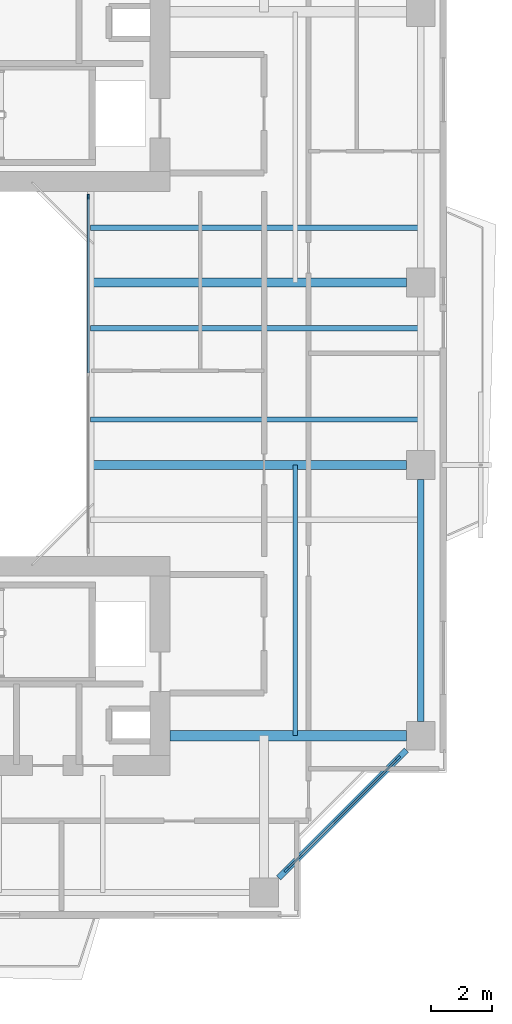
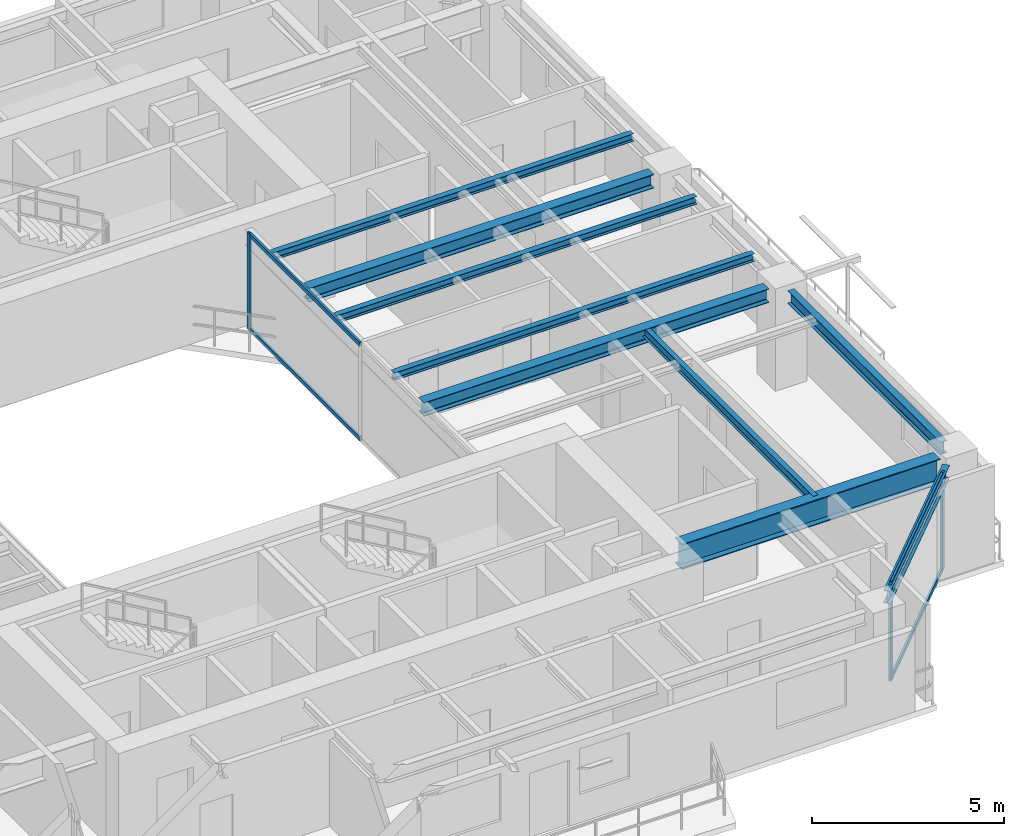
# One storey, part 6 of 17: 9 beams, 7 members, 2 elements without a shape of their own.
"""IFC4 building model written with IfcOpenShell, lengths in metres."""

from ifc_helpers import new_model, si_unit, direction, frame, origin, origin_2d, place, context, subcontext, project, spatial, rectangle, i_section, extrude, source, transform, mapped, material, layer, layer_set, material_profile, profile_set, type_object, element, aggregate, save


model = new_model("IFC4")

# Units and contexts
model_context = context("Model", 3, precision=1e-05, world=origin(), true_north=direction((0.0, 1.0)))
body_context = subcontext(model_context, "Body", "Model", "MODEL_VIEW")
ifc_project = project(units=[si_unit("LENGTHUNIT", "METRE"), si_unit("AREAUNIT", "SQUARE_METRE"), si_unit("VOLUMEUNIT", "CUBIC_METRE"), si_unit("PLANEANGLEUNIT", "RADIAN"), si_unit("MASSUNIT", "GRAM", prefix="KILO"), si_unit("THERMODYNAMICTEMPERATUREUNIT", "KELVIN"), si_unit("POWERUNIT", "WATT")], contexts=[model_context])

# Site, building, storey
site_placement = place(None, origin())
site = spatial("IfcSite", under=ifc_project, at=site_placement, CompositionType="ELEMENT")
building_placement = place(site_placement, origin())
building = spatial("IfcBuilding", under=site, at=building_placement, Name="Qiaomeng Ring Towers", CompositionType="ELEMENT")
storey_placement = place(building_placement, frame((0.0, 0.0, 150.25)))
storey = spatial("IfcBuildingStorey", under=building, at=storey_placement, Name="L43", CompositionType="ELEMENT", Elevation=150.25)

# Beams
ifc_material_1 = material(Name="Steel Q355B", Category="steel")
ifc_material_profile_1 = material_profile(ifc_material_1, i_section(OverallWidth=0.175048828125, OverallDepth=0.243896484375, WebThickness=0.007080078125, FlangeThickness=0.010986328125, FilletRadius=0.01611328125, at=origin_2d()), Name="HM 244x175x7x11")
ifc_profile_set_1 = profile_set([ifc_material_profile_1], Name="Steel Q355B")
beam_type_1 = type_object("IfcBeamType", Name="STR-BM-HM244", PredefinedType="JOIST", material=ifc_profile_set_1)
shared_shape_1 = source(origin(), body_context, "Body", "SweptSolid", [
    extrude(i_section(OverallWidth=0.175048828125, OverallDepth=0.243896484375, WebThickness=0.007080078125, FlangeThickness=0.010986328125, FilletRadius=0.01611328125, at=origin_2d()), origin(), (0.0, 0.0, 1.0), 10.85009765625),
])
for number, where, z_axis, x_axis, name in (
    (1, (25.199951171875, 21.5, 2.947998046875), (1.0, 0.0, 0.0), (0.0, 1.0, 0.0), "L43 beam STR-JST-L43-T1E-2"),
    (2, (25.199951171875, 24.5, 2.947998046875), (1.0, 0.0, 0.0), (0.0, 1.0, 0.0), "L43 beam STR-JST-L43-T1E-3"),
    (3, (25.199951171875, 27.800048828125, 2.947998046875), (1.0, 0.0, 0.0), (0.0, 1.0, 0.0), "L43 beam STR-JST-L43-T1E-4"),
):
    element("IfcBeam", number, at=place(storey_placement, frame(where, z_axis=z_axis, x_axis=x_axis)), inside=storey, type_object=beam_type_1, Name=name, PredefinedType="JOIST", context=body_context, shape_type="MappedRepresentation", body=[
        mapped(shared_shape_1, transform((0.0, 0.0, 0.0), x_axis=(1.0, 0.0, 0.0), y_axis=(0.0, 1.0, 0.0), z_axis=(0.0, 0.0, 1.0), scale=1.0)),
    ])
ifc_material_profile_2 = material_profile(ifc_material_1, i_section(OverallWidth=0.14990234375, OverallDepth=0.300048828125, WebThickness=0.006591796875, FlangeThickness=0.009033203125, FilletRadius=0.012939453125, at=origin_2d()), Name="HN 300x150x6.5x9")
ifc_profile_set_2 = profile_set([ifc_material_profile_2], Name="Steel Q355B")
beam_type_2 = type_object("IfcBeamType", Name="STR-BM-HN300", PredefinedType="JOIST", material=ifc_profile_set_2)
shared_shape_2 = source(origin(), body_context, "Body", "SweptSolid", [
    extrude(i_section(OverallWidth=0.14990234375, OverallDepth=0.300048828125, WebThickness=0.006591796875, FlangeThickness=0.009033203125, FilletRadius=0.012939453125, at=origin_2d()), origin(), (0.0, 0.0, 1.0), 8.89990234375),
])
beam_1_placement = place(storey_placement, frame((31.925048828125, 11.10009765625, 2.919921875), z_axis=(0.0, 1.0, 0.0), x_axis=(-1.0, 0.0, 0.0)))
element("IfcBeam", 4, at=beam_1_placement, inside=storey, type_object=beam_type_2, Name="L43 beam STR-JST-L43-T1C-ES", PredefinedType="JOIST", context=body_context, shape_type="MappedRepresentation", body=[
    mapped(shared_shape_2, transform((0.0, 0.0, 0.0), x_axis=(1.0, 0.0, 0.0), y_axis=(0.0, 1.0, 0.0), z_axis=(0.0, 0.0, 1.0), scale=1.0)),
])
ifc_material_profile_3 = material_profile(ifc_material_1, i_section(OverallWidth=0.199951171875, OverallDepth=0.39990234375, WebThickness=0.008056640625, FlangeThickness=0.012939453125, FilletRadius=0.01611328125, at=origin_2d()), Name="HN 400x200x8x13")
ifc_profile_set_3 = profile_set([ifc_material_profile_3], Name="Steel Q355B")
beam_type_3 = type_object("IfcBeamType", Name="STR-BM-HN400", PredefinedType="SPANDREL", material=ifc_profile_set_3)
shared_shape_3 = source(origin(), body_context, "Body", "SweptSolid", [
    extrude(i_section(OverallWidth=0.199951171875, OverallDepth=0.39990234375, WebThickness=0.008056640625, FlangeThickness=0.012939453125, FilletRadius=0.01611328125, at=origin_2d()), origin(), (0.0, 0.0, 1.0), 5.941650390625),
])
beam_2_placement = place(storey_placement, frame((31.374267578125, 6.42431640625, 2.8701171875), z_axis=(0.707106781187, 0.707106781187, 0.0), x_axis=(-0.707106781187, 0.707106781187, 0.0)))
element("IfcBeam", 5, at=beam_2_placement, inside=storey, type_object=beam_type_3, Name="L43 beam STR-SP-L43-T1-S2-E1", PredefinedType="SPANDREL", context=body_context, shape_type="MappedRepresentation", body=[
    mapped(shared_shape_3, transform((0.0, 0.0, 0.0), x_axis=(1.0, 0.0, 0.0), y_axis=(0.0, 1.0, 0.0), z_axis=(0.0, 0.0, 1.0), scale=1.0)),
])
shared_shape_4 = source(origin(), body_context, "Body", "SweptSolid", [
    extrude(i_section(OverallWidth=0.199951171875, OverallDepth=0.39990234375, WebThickness=0.008056640625, FlangeThickness=0.012939453125, FilletRadius=0.01611328125, at=origin_2d()), origin(), (0.0, 0.0, 1.0), 7.951904296875),
])
beam_3_placement = place(storey_placement, frame((36.050048828125, 11.573974609375, 2.8701171875), z_axis=(0.0, 1.0, 0.0), x_axis=(-1.0, 0.0, 0.0)))
element("IfcBeam", 6, at=beam_3_placement, inside=storey, type_object=beam_type_3, Name="L43 beam STR-SP-L43-T1-E1-E2", PredefinedType="SPANDREL", context=body_context, shape_type="MappedRepresentation", body=[
    mapped(shared_shape_4, transform((0.0, 0.0, 0.0), x_axis=(1.0, 0.0, 0.0), y_axis=(0.0, 1.0, 0.0), z_axis=(0.0, 0.0, 1.0), scale=1.0)),
])
ifc_material_2 = material(Name="Steel Q390GJC", Category="steel")
ifc_material_profile_4 = material_profile(ifc_material_2, i_section(OverallWidth=0.35009765625, OverallDepth=0.800048828125, WebThickness=0.01611328125, FlangeThickness=0.028076171875, at=origin_2d()), Name="WH 800x350x16x28")
ifc_profile_set_4 = profile_set([ifc_material_profile_4], Name="Steel Q390GJC")
beam_type_4 = type_object("IfcBeamType", Name="STR-BM-WH800", PredefinedType="BEAM", material=ifc_profile_set_4)
shared_shape_5 = source(origin(), body_context, "Body", "SweptSolid", [
    extrude(i_section(OverallWidth=0.35009765625, OverallDepth=0.800048828125, WebThickness=0.01611328125, FlangeThickness=0.028076171875, at=origin_2d()), origin(), (0.0, 0.0, 1.0), 7.77587890625),
])
beam_4_placement = place(storey_placement, frame((27.800048828125, 11.10009765625, 2.669921875), z_axis=(1.0, 0.0, 0.0), x_axis=(0.0, 1.0, 0.0)))
element("IfcBeam", 7, at=beam_4_placement, inside=storey, type_object=beam_type_4, Name="L43 beam STR-BM-L43-T1-RAD-E1", PredefinedType="BEAM", context=body_context, shape_type="MappedRepresentation", body=[
    mapped(shared_shape_5, transform((0.0, 0.0, 0.0), x_axis=(1.0, 0.0, 0.0), y_axis=(0.0, 1.0, 0.0), z_axis=(0.0, 0.0, 1.0), scale=1.0)),
])
ifc_material_profile_5 = material_profile(ifc_material_1, i_section(OverallWidth=0.300048828125, OverallDepth=0.43994140625, WebThickness=0.010986328125, FlangeThickness=0.01806640625, FilletRadius=0.02392578125, at=origin_2d()), Name="HM 440x300x11x18")
ifc_profile_set_5 = profile_set([ifc_material_profile_5], Name="Steel Q355B")
beam_type_5 = type_object("IfcBeamType", Name="STR-BM-HM440", PredefinedType="BEAM", material=ifc_profile_set_5)
shared_shape_6 = source(origin(), body_context, "Body", "SweptSolid", [
    extrude(i_section(OverallWidth=0.300048828125, OverallDepth=0.43994140625, WebThickness=0.010986328125, FlangeThickness=0.01806640625, FilletRadius=0.02392578125, at=origin_2d()), origin(), (0.0, 0.0, 1.0), 10.3759765625),
])
for number, where, z_axis, x_axis, name in (
    (8, (25.199951171875, 20.0, 2.85009765625), (1.0, 0.0, 0.0), (0.0, 1.0, 0.0), "L43 beam STR-BM-L43-T1-RAD-E2"),
    (9, (25.199951171875, 26.0, 2.85009765625), (1.0, 0.0, 0.0), (0.0, 1.0, 0.0), "L43 beam STR-BM-L43-T1-RAD-E3"),
):
    element("IfcBeam", number, at=place(storey_placement, frame(where, z_axis=z_axis, x_axis=x_axis)), inside=storey, type_object=beam_type_5, Name=name, PredefinedType="BEAM", context=body_context, shape_type="MappedRepresentation", body=[
        mapped(shared_shape_6, transform((0.0, 0.0, 0.0), x_axis=(1.0, 0.0, 0.0), y_axis=(0.0, 1.0, 0.0), z_axis=(0.0, 0.0, 1.0), scale=1.0)),
    ])

# Curtain wall, members
ifc_material_3 = material(Name="Fluorocarbon dark-grey aluminium", Category="aluminium")
ifc_layer_1 = layer(ifc_material_3, 0.139892578125, Name="Fluorocarbon dark-grey aluminium")
ifc_layer_set_1 = layer_set([ifc_layer_1], Name="Fluorocarbon dark-grey aluminium")
curtain_wall_type_1 = type_object("IfcCurtainWallType", Name="ARC-CW-4", PredefinedType="NOTDEFINED", material=ifc_layer_set_1)
curtain_wall_1_placement = place(storey_placement, origin())
curtain_wall_1 = element("IfcCurtainWall", 10, at=curtain_wall_1_placement, inside=storey, type_object=curtain_wall_type_1, Name="L43 Curtain Wall CW4", PredefinedType="NOTDEFINED")
ifc_material_profile_6 = material_profile(ifc_material_3, rectangle(XDim=0.06494140625, YDim=0.159912109375, at=origin_2d()), Name="ALU MULL 65x160")
ifc_profile_set_6 = profile_set([ifc_material_profile_6], Name="Fluorocarbon dark-grey aluminium")
member_type_1 = type_object("IfcMemberType", Name="ARC-CWM-140", PredefinedType="MULLION", material=ifc_profile_set_6)
shared_shape_7 = source(origin(), body_context, "Body", "SweptSolid", [
    extrude(rectangle(XDim=0.06494140625, YDim=0.159912109375, at=origin_2d()), origin(), (0.0, 0.0, 1.0), 3.070068359375),
])
member_1_placement = place(storey_placement, frame((25.1201171875, 28.8173828125, 0.0), z_axis=(0.0, 0.0, 1.0), x_axis=(-1.0, 0.0, 0.0)))
member_1 = element("IfcMember", 11, at=member_1_placement, type_object=member_type_1, Name="CW4 mullion 3", PredefinedType="MULLION", context=body_context, shape_type="MappedRepresentation", body=[
    mapped(shared_shape_7, transform((0.0, 0.0, 0.0), x_axis=(1.0, 0.0, 0.0), y_axis=(0.0, 1.0, 0.0), z_axis=(0.0, 0.0, 1.0), scale=1.0)),
])
ifc_material_profile_7 = material_profile(ifc_material_3, rectangle(XDim=0.06494140625, YDim=0.1298828125, at=origin_2d()), Name="ALU TRAN 65x130")
ifc_profile_set_7 = profile_set([ifc_material_profile_7], Name="Fluorocarbon dark-grey aluminium")
member_type_2 = type_object("IfcMemberType", Name="ARC-CWT-120", PredefinedType="USERDEFINED", material=ifc_profile_set_7)
shared_shape_8 = source(origin(), body_context, "Body", "SweptSolid", [
    extrude(rectangle(XDim=0.06494140625, YDim=0.1298828125, at=origin_2d()), origin(), (0.0, 0.0, 1.0), 5.75244140625),
])
member_2_placement = place(storey_placement, frame((25.1201171875, 23.032470703125, 0.032470703125), z_axis=(0.0, 1.0, 0.0), x_axis=(-1.0, 0.0, 0.0)))
member_2 = element("IfcMember", 12, at=member_2_placement, type_object=member_type_2, Name="CW4 transom 2.1", ObjectType="TRANSOM", PredefinedType="USERDEFINED", context=body_context, shape_type="MappedRepresentation", body=[
    mapped(shared_shape_8, transform((0.0, 0.0, 0.0), x_axis=(1.0, 0.0, 0.0), y_axis=(0.0, 1.0, 0.0), z_axis=(0.0, 0.0, 1.0), scale=1.0)),
])
member_3_placement = place(storey_placement, frame((25.1201171875, 23.032470703125, 3.03759765625), z_axis=(0.0, 1.0, 0.0), x_axis=(-1.0, 0.0, 0.0)))
member_3 = element("IfcMember", 13, at=member_3_placement, type_object=member_type_2, Name="CW4 transom 2.2", ObjectType="TRANSOM", PredefinedType="USERDEFINED", context=body_context, shape_type="MappedRepresentation", body=[
    mapped(shared_shape_8, transform((0.0, 0.0, 0.0), x_axis=(1.0, 0.0, 0.0), y_axis=(0.0, 1.0, 0.0), z_axis=(0.0, 0.0, 1.0), scale=1.0)),
])
aggregate(curtain_wall_1, [member_1, member_2, member_3])

ifc_layer_2 = layer(ifc_material_3, 0.14990234375, Name="Fluorocarbon dark-grey aluminium")
ifc_layer_set_2 = layer_set([ifc_layer_2], Name="Fluorocarbon dark-grey aluminium")
curtain_wall_type_2 = type_object("IfcCurtainWallType", Name="ARC-CW-3", PredefinedType="NOTDEFINED", material=ifc_layer_set_2)
curtain_wall_2_placement = place(storey_placement, origin())
curtain_wall_2 = element("IfcCurtainWall", 14, at=curtain_wall_2_placement, inside=storey, type_object=curtain_wall_type_2, Name="L43 Curtain Wall CW3", PredefinedType="NOTDEFINED")
ifc_material_profile_8 = material_profile(ifc_material_3, rectangle(XDim=0.070068359375, YDim=0.179931640625, at=origin_2d()), Name="ALU MULL 70x180")
ifc_profile_set_8 = profile_set([ifc_material_profile_8], Name="Fluorocarbon dark-grey aluminium")
member_type_3 = type_object("IfcMemberType", Name="ARC-CWM-160", PredefinedType="MULLION", material=ifc_profile_set_8)
shared_shape_9 = source(origin(), body_context, "Body", "SweptSolid", [
    extrude(rectangle(XDim=0.070068359375, YDim=0.179931640625, at=origin_2d()), origin(), (0.0, 0.0, 1.0), 3.070068359375),
])
member_4_placement = place(storey_placement, frame((31.6396484375, 6.689697265625, 0.0), z_axis=(0.0, 0.0, 1.0), x_axis=(-0.707106781187, 0.707106781187, 0.0)))
member_4 = element("IfcMember", 15, at=member_4_placement, type_object=member_type_3, Name="CW3 mullion 1", PredefinedType="MULLION", context=body_context, shape_type="MappedRepresentation", body=[
    mapped(shared_shape_9, transform((0.0, 0.0, 0.0), x_axis=(1.0, 0.0, 0.0), y_axis=(0.0, 1.0, 0.0), z_axis=(0.0, 0.0, 1.0), scale=1.0)),
])
member_5_placement = place(storey_placement, frame((35.310302734375, 10.3603515625, 0.0), z_axis=(0.0, 0.0, 1.0), x_axis=(-0.707106781187, 0.707106781187, 0.0)))
member_5 = element("IfcMember", 16, at=member_5_placement, type_object=member_type_3, Name="CW3 mullion 2", PredefinedType="MULLION", context=body_context, shape_type="MappedRepresentation", body=[
    mapped(shared_shape_9, transform((0.0, 0.0, 0.0), x_axis=(1.0, 0.0, 0.0), y_axis=(0.0, 1.0, 0.0), z_axis=(0.0, 0.0, 1.0), scale=1.0)),
])
shared_shape_10 = source(origin(), body_context, "Body", "SweptSolid", [
    extrude(rectangle(XDim=0.06494140625, YDim=0.1298828125, at=origin_2d()), origin(), (0.0, 0.0, 1.0), 5.12060546875),
])
member_6_placement = place(storey_placement, frame((31.66455078125, 6.714599609375, 0.032470703125), z_axis=(0.707106781187, 0.707106781187, 0.0), x_axis=(-0.707106781187, 0.707106781187, 0.0)))
member_6 = element("IfcMember", 17, at=member_6_placement, type_object=member_type_2, Name="CW3 transom 1.1", ObjectType="TRANSOM", PredefinedType="USERDEFINED", context=body_context, shape_type="MappedRepresentation", body=[
    mapped(shared_shape_10, transform((0.0, 0.0, 0.0), x_axis=(1.0, 0.0, 0.0), y_axis=(0.0, 1.0, 0.0), z_axis=(0.0, 0.0, 1.0), scale=1.0)),
])
member_7_placement = place(storey_placement, frame((31.66455078125, 6.714599609375, 3.03759765625), z_axis=(0.707106781187, 0.707106781187, 0.0), x_axis=(-0.707106781187, 0.707106781187, 0.0)))
member_7 = element("IfcMember", 18, at=member_7_placement, type_object=member_type_2, Name="CW3 transom 1.2", ObjectType="TRANSOM", PredefinedType="USERDEFINED", context=body_context, shape_type="MappedRepresentation", body=[
    mapped(shared_shape_10, transform((0.0, 0.0, 0.0), x_axis=(1.0, 0.0, 0.0), y_axis=(0.0, 1.0, 0.0), z_axis=(0.0, 0.0, 1.0), scale=1.0)),
])
aggregate(curtain_wall_2, [member_4, member_5, member_6, member_7])

save(model, "model.ifc")
